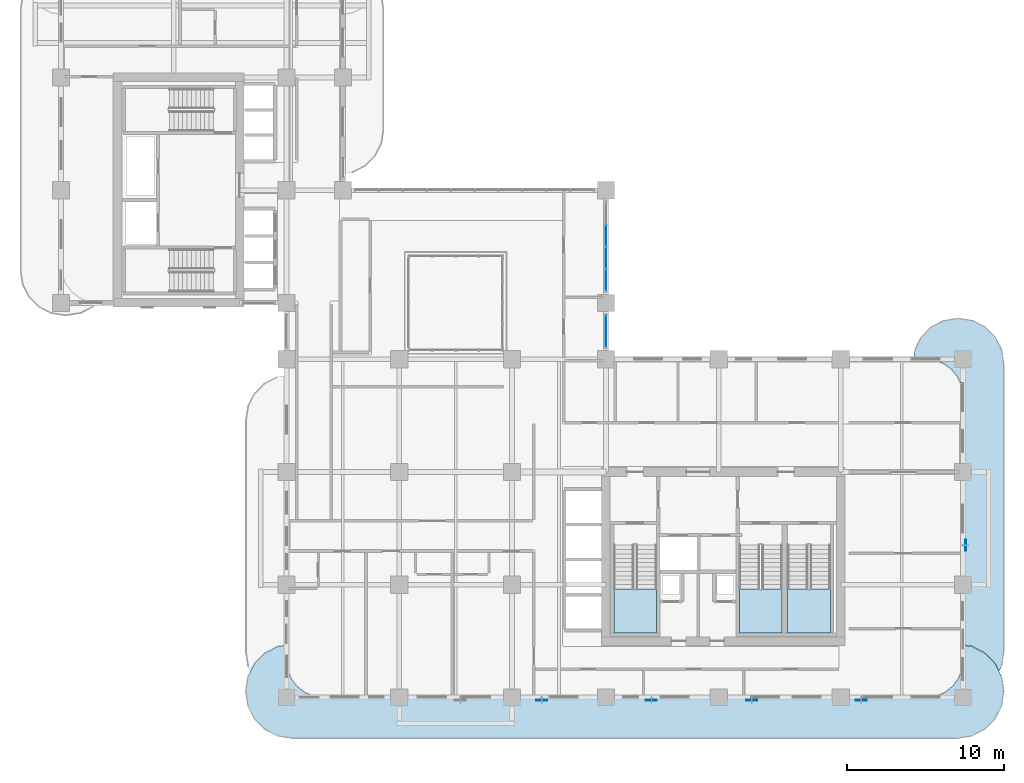
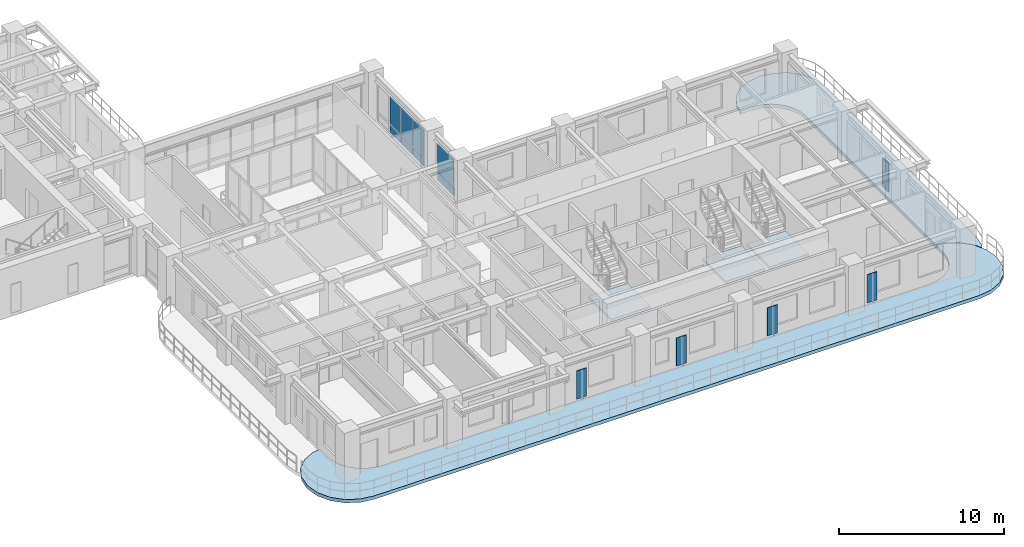
# One storey, part 10 of 22: 13 plates, 5 slabs, 5 elements without a shape of their own.
"""IFC4 building model written with IfcOpenShell, lengths in metres."""

from ifc_helpers import new_model, si_unit, derived_unit, direction, frame, origin, origin_2d, place, context, subcontext, project, spatial, polyline, rectangle, outline, extrude, source, transform, mapped, material, layer, layer_set, type_object, type_shapes, element, aggregate, save


model = new_model("IFC4")

# Units and contexts
model_context = context("Model", 3, precision=1e-05, world=origin(), true_north=direction((0.0, 1.0)))
body_context = subcontext(model_context, "Body", "Model", "MODEL_VIEW")
ifc_project = project(units=[si_unit("LENGTHUNIT", "METRE"), si_unit("AREAUNIT", "SQUARE_METRE"), si_unit("VOLUMEUNIT", "CUBIC_METRE"), si_unit("PLANEANGLEUNIT", "RADIAN"), si_unit("MASSUNIT", "GRAM", prefix="KILO"), si_unit("THERMODYNAMICTEMPERATUREUNIT", "KELVIN"), si_unit("POWERUNIT", "WATT"), derived_unit("THERMALTRANSMITTANCEUNIT", [(si_unit("POWERUNIT", "WATT"), 1), (si_unit("AREAUNIT", "SQUARE_METRE"), -1), (si_unit("THERMODYNAMICTEMPERATUREUNIT", "KELVIN"), -1)])], contexts=[model_context])

# Site, building, storey
site_placement = place(None, origin())
site = spatial("IfcSite", under=ifc_project, at=site_placement, CompositionType="ELEMENT")
building_placement = place(site_placement, origin())
building = spatial("IfcBuilding", under=site, at=building_placement, Name="Zahravan Archway Hotel and Residences", CompositionType="ELEMENT")
storey_placement = place(building_placement, frame((0.0, 0.0, 76.800048828125)))
storey = spatial("IfcBuildingStorey", under=building, at=storey_placement, Name="L18", CompositionType="ELEMENT", Elevation=76.800048828125)

# Slabs
ifc_material_1 = material(Name="Concrete C45/55", Category="concrete")
ifc_layer_1 = layer(ifc_material_1, 0.25, Name="Concrete C45/55", Category="concrete")
ifc_layer_set_1 = layer_set([ifc_layer_1], Name="Concrete C45/55")
slab_type_1 = type_object("IfcSlabType", Name="SLB-BALC-250", PredefinedType="FLOOR", material=ifc_layer_set_1)
slab_1_placement = place(storey_placement, frame((0.0, 0.0, -0.25)))
element("IfcSlab", 1, at=slab_1_placement, inside=storey, type_object=slab_type_1, Name="L18 Wing A South Rounded Balcony Band", PredefinedType="FLOOR", context=body_context, shape_type="SweptSolid", body=[
    extrude(outline(polyline([(58.16162109375, 3.255615234375), (58.98388671875, 2.836669921875), (59.63671875, 2.18408203125), (60.0556640625, 1.361572265625), (60.199951171875, 0.449951171875), (60.199951171875, 0.35009765625), (60.0556640625, -0.5615234375), (59.63671875, -1.384033203125), (58.98388671875, -2.03662109375), (58.16162109375, -2.45556640625), (57.25, -2.60009765625), (14.75, -2.60009765625), (13.83837890625, -2.45556640625), (13.01611328125, -2.03662109375), (12.36328125, -1.384033203125), (11.9443359375, -0.5615234375), (11.800048828125, 0.35009765625), (11.800048828125, 0.449951171875), (11.9443359375, 1.361572265625), (12.36328125, 2.18408203125), (13.01611328125, 2.836669921875), (13.83837890625, 3.255615234375), (14.3798828125, 3.34130859375), (14.3798828125, 2.39990234375), (14.380126953125, 2.3974609375), (14.4619140625, 1.776123046875), (14.46240234375, 1.7744140625), (14.462646484375, 1.772705078125), (14.46337890625, 1.77099609375), (14.702880859375, 1.1923828125), (14.703857421875, 1.19091796875), (14.70458984375, 1.189208984375), (14.70556640625, 1.187744140625), (15.0869140625, 0.690673828125), (15.088134765625, 0.689453125), (15.08935546875, 0.688232421875), (15.0908203125, 0.68701171875), (15.587890625, 0.3056640625), (15.58935546875, 0.3046875), (15.5908203125, 0.3037109375), (15.59228515625, 0.302978515625), (16.171142578125, 0.063232421875), (16.1728515625, 0.062744140625), (16.174560546875, 0.062255859375), (16.17626953125, 0.06201171875), (16.79736328125, -0.019775390625), (16.800048828125, -0.02001953125), (55.199951171875, -0.02001953125), (55.20263671875, -0.019775390625), (55.82373046875, 0.06201171875), (55.825439453125, 0.062255859375), (55.8271484375, 0.062744140625), (55.828857421875, 0.063232421875), (56.40771484375, 0.302978515625), (56.4091796875, 0.3037109375), (56.41064453125, 0.3046875), (56.412109375, 0.3056640625), (56.9091796875, 0.68701171875), (56.91064453125, 0.688232421875), (56.911865234375, 0.689453125), (56.9130859375, 0.690673828125), (57.29443359375, 1.187744140625), (57.29541015625, 1.189208984375), (57.296142578125, 1.19091796875), (57.297119140625, 1.1923828125), (57.53662109375, 1.77099609375), (57.537353515625, 1.772705078125), (57.53759765625, 1.7744140625), (57.5380859375, 1.776123046875), (57.619873046875, 2.3974609375), (57.6201171875, 2.39990234375), (57.6201171875, 3.34130859375), (58.16162109375, 3.255615234375)])), origin(), (0.0, 0.0, 1.0), 0.25),
])
slab_2_placement = place(storey_placement, frame((0.0, 0.0, -0.25)))
element("IfcSlab", 2, at=slab_2_placement, inside=storey, type_object=slab_type_1, Name="L18 Wing A East Rounded Balcony Band", PredefinedType="FLOOR", context=body_context, shape_type="SweptSolid", body=[
    extrude(outline(polyline([(54.53955078125, 22.230712890625), (54.9443359375, 23.025146484375), (55.57470703125, 23.65576171875), (56.369384765625, 24.060546875), (57.25, 24.199951171875), (57.35009765625, 24.199951171875), (58.230712890625, 24.060546875), (59.025146484375, 23.65576171875), (59.65576171875, 23.025146484375), (60.060546875, 22.230712890625), (60.199951171875, 21.35009765625), (60.199951171875, 2.85009765625), (60.060546875, 1.96923828125), (59.91455078125, 1.6826171875), (59.654296875, 2.193115234375), (59.6533203125, 2.19482421875), (59.652099609375, 2.196533203125), (59.650634765625, 2.197998046875), (58.998046875, 2.8505859375), (58.99658203125, 2.85205078125), (58.994873046875, 2.853515625), (58.9931640625, 2.8544921875), (58.170654296875, 3.2734375), (58.168701171875, 3.2744140625), (58.166748046875, 3.27490234375), (58.164794921875, 3.275390625), (57.623046875, 3.361083984375), (57.62109375, 3.361328125), (57.6201171875, 3.361328125), (57.6201171875, 19.199951171875), (57.619873046875, 19.20263671875), (57.5380859375, 19.82373046875), (57.53759765625, 19.825439453125), (57.537353515625, 19.8271484375), (57.53662109375, 19.828857421875), (57.297119140625, 20.40771484375), (57.296142578125, 20.4091796875), (57.29541015625, 20.41064453125), (57.29443359375, 20.412109375), (56.9130859375, 20.9091796875), (56.911865234375, 20.91064453125), (56.91064453125, 20.911865234375), (56.9091796875, 20.9130859375), (56.412109375, 21.29443359375), (56.41064453125, 21.29541015625), (56.4091796875, 21.296142578125), (56.40771484375, 21.297119140625), (55.828857421875, 21.53662109375), (55.8271484375, 21.537353515625), (55.825439453125, 21.53759765625), (55.82373046875, 21.5380859375), (55.20263671875, 21.619873046875), (55.199951171875, 21.6201171875), (54.44287109375, 21.6201171875), (54.53955078125, 22.230712890625)])), origin(), (0.0, 0.0, 1.0), 0.25),
])

# Stair, slab
ifc_material_2 = material(Name="Concrete C50/60", Category="concrete")
stair_type = type_object("IfcStairType", Name="STR-CORE-1300", PredefinedType="HALF_TURN_STAIR", material=ifc_material_2)
stair_1_placement = place(storey_placement, origin())
stair_1 = element("IfcStair", 3, at=stair_1_placement, inside=storey, type_object=stair_type, Name="L18 Core A Exit Stair 1", PredefinedType="HALF_TURN_STAIR")
ifc_layer_2 = layer(ifc_material_2, 0.199951171875, Name="Concrete C50/60", Category="concrete")
ifc_layer_set_2 = layer_set([ifc_layer_2], Name="Concrete C50/60")
slab_type_2 = type_object("IfcSlabType", Name="SLB-LND-200", PredefinedType="LANDING", material=ifc_layer_set_2)
slab_3_placement = place(storey_placement, frame((0.0, 0.0, 1.64990234375)))
slab_3 = element("IfcSlab", 4, at=slab_3_placement, type_object=slab_type_2, Name="ST-A1 landing 1", PredefinedType="LANDING", context=body_context, shape_type="SweptSolid", body=[
    extrude(outline(polyline([(35.300048828125, 6.929931640625), (35.300048828125, 4.10009765625), (38.0400390625, 4.10009765625), (38.0400390625, 6.929931640625), (35.300048828125, 6.929931640625)])), origin(), (0.0, 0.0, 1.0), 0.199951171875),
])
aggregate(stair_1, [slab_3])

stair_2_placement = place(storey_placement, origin())
stair_2 = element("IfcStair", 5, at=stair_2_placement, inside=storey, type_object=stair_type, Name="L18 Core A Exit Stair 2", PredefinedType="HALF_TURN_STAIR")
slab_4_placement = place(storey_placement, frame((0.0, 0.0, 1.64990234375)))
slab_4 = element("IfcSlab", 6, at=slab_4_placement, type_object=slab_type_2, Name="ST-A2 landing 1", PredefinedType="LANDING", context=body_context, shape_type="SweptSolid", body=[
    extrude(outline(polyline([(43.320068359375, 6.929931640625), (43.320068359375, 4.10009765625), (46.06005859375, 4.10009765625), (46.06005859375, 6.929931640625), (43.320068359375, 6.929931640625)])), origin(), (0.0, 0.0, 1.0), 0.199951171875),
])
aggregate(stair_2, [slab_4])

stair_3_placement = place(storey_placement, origin())
stair_3 = element("IfcStair", 7, at=stair_3_placement, inside=storey, type_object=stair_type, Name="L18 Core A Exit Stair 3", PredefinedType="HALF_TURN_STAIR")
slab_5_placement = place(storey_placement, frame((0.0, 0.0, 1.64990234375)))
slab_5 = element("IfcSlab", 8, at=slab_5_placement, type_object=slab_type_2, Name="ST-A3 landing 1", PredefinedType="LANDING", context=body_context, shape_type="SweptSolid", body=[
    extrude(outline(polyline([(46.39990234375, 6.929931640625), (46.39990234375, 4.10009765625), (49.139892578125, 4.10009765625), (49.139892578125, 6.929931640625), (46.39990234375, 6.929931640625)])), origin(), (0.0, 0.0, 1.0), 0.199951171875),
])
aggregate(stair_3, [slab_5])

# Plates
ifc_material_3 = material(Name="Perforated Cast Bronze Jali Lattice")
ifc_layer_3 = layer(ifc_material_3, 0.044921875, Name="Perforated Cast Bronze Jali Lattice")
ifc_layer_set_3 = layer_set([ifc_layer_3], Name="Perforated Cast Bronze Jali Lattice")
plate_type_1 = type_object("IfcPlateType", Name="PLT-JALI-BAY", PredefinedType="USERDEFINED", material=ifc_layer_set_3)
shared_shape_1 = source(origin(), body_context, "Body", "SweptSolid", [
    extrude(rectangle(XDim=0.699951171875, YDim=0.044921875, at=origin_2d()), origin(), (0.0, 0.0, 1.0), 2.10009765625),
])
type_shapes(plate_type_1, [shared_shape_1])
for number, where, z_axis, x_axis, name in (
    (9, (30.7080078125, -0.177978515625, 0.25), (0.0, 0.0, 1.0), (1.0, 0.0, 0.0), "L18 Perforated Bronze Jali Pier Screen 02"),
    (10, (37.7080078125, -0.177978515625, 0.25), (0.0, 0.0, 1.0), (1.0, 0.0, 0.0), "L18 Perforated Bronze Jali Pier Screen 03"),
    (11, (44.10791015625, -0.177978515625, 0.25), (0.0, 0.0, 1.0), (1.0, 0.0, 0.0), "L18 Perforated Bronze Jali Pier Screen 04"),
    (12, (51.10009765625, -0.177978515625, 0.25), (0.0, 0.0, 1.0), (1.0, 0.0, 0.0), "L18 Perforated Bronze Jali Pier Screen 05"),
    (13, (57.778076171875, 9.7080078125, 0.25), (0.0, 0.0, 1.0), (0.0, 1.0, 0.0), "L18 Perforated Bronze Jali Pier Screen 06"),
):
    element("IfcPlate", number, at=place(storey_placement, frame(where, z_axis=z_axis, x_axis=x_axis)), inside=storey, type_object=plate_type_1, Name=name, ObjectType="SCREEN", PredefinedType="USERDEFINED", context=body_context, shape_type="MappedRepresentation", body=[
        mapped(shared_shape_1, transform((0.0, 0.0, 0.0), scale=1.0)),
    ])

# Curtain wall, plates
ifc_material_4 = material(Name="Bronze-Anodized Unitised Aluminium & Low-E Glass", Category="aluminium")
ifc_layer_4 = layer(ifc_material_4, 0.179931640625, Name="Bronze-Anodized Unitised Aluminium & Low-E Glass", Category="aluminium")
ifc_layer_set_4 = layer_set([ifc_layer_4], Name="Bronze-Anodized Unitised Aluminium & Low-E Glass")
curtain_wall_type = type_object("IfcCurtainWallType", Name="CW-ATR-GLAZ", PredefinedType="NOTDEFINED", material=ifc_layer_set_4)
curtain_wall_1_placement = place(storey_placement, origin())
curtain_wall_1 = element("IfcCurtainWall", 14, at=curtain_wall_1_placement, inside=storey, type_object=curtain_wall_type, Name="L18 Curtain Wall CW-L18-HNG-E-2", PredefinedType="NOTDEFINED")
ifc_material_5 = material(Name="Insulated Terracotta Spandrel Panel", Category="masonry")
ifc_layer_5 = layer(ifc_material_5, 0.0400390625, Name="Insulated Terracotta Spandrel Panel", Category="masonry")
ifc_layer_set_5 = layer_set([ifc_layer_5], Name="Insulated Terracotta Spandrel Panel")
plate_type_2 = type_object("IfcPlateType", Name="CWP-SPN-40", PredefinedType="SHEET", material=ifc_layer_set_5)
shared_shape_2 = source(origin(), body_context, "Body", "SweptSolid", [
    extrude(rectangle(XDim=1.340087890625, YDim=0.0400390625, at=origin_2d()), origin(), (0.0, 0.0, 1.0), 0.552490234375),
])
plate_1_placement = place(storey_placement, frame((34.800048828125, 26.669921875, 0.10009765625), z_axis=(0.0, 0.0, 1.0), x_axis=(0.0, 1.0, 0.0)))
plate_1 = element("IfcPlate", 15, at=plate_1_placement, type_object=plate_type_2, Name="CW-L18-HNG-E-2 Spandrel Panel 0", PredefinedType="SHEET", context=body_context, shape_type="MappedRepresentation", body=[
    mapped(shared_shape_2, transform((0.0, 0.0, 0.0), scale=1.0)),
])
plate_2_placement = place(storey_placement, frame((34.800048828125, 28.090087890625, 0.10009765625), z_axis=(0.0, 0.0, 1.0), x_axis=(0.0, 1.0, 0.0)))
plate_2 = element("IfcPlate", 16, at=plate_2_placement, type_object=plate_type_2, Name="CW-L18-HNG-E-2 Spandrel Panel 1", PredefinedType="SHEET", context=body_context, shape_type="MappedRepresentation", body=[
    mapped(shared_shape_2, transform((0.0, 0.0, 0.0), scale=1.0)),
])
plate_3_placement = place(storey_placement, frame((34.800048828125, 29.510009765625, 0.10009765625), z_axis=(0.0, 0.0, 1.0), x_axis=(0.0, 1.0, 0.0)))
plate_3 = element("IfcPlate", 17, at=plate_3_placement, type_object=plate_type_2, Name="CW-L18-HNG-E-2 Spandrel Panel 2", PredefinedType="SHEET", context=body_context, shape_type="MappedRepresentation", body=[
    mapped(shared_shape_2, transform((0.0, 0.0, 0.0), scale=1.0)),
])
ifc_material_6 = material(Name="Double-Silver Low-E Insulated Vision Glass", Category="glass")
ifc_layer_6 = layer(ifc_material_6, 0.028076171875, Name="Double-Silver Low-E Insulated Vision Glass", Category="glass")
ifc_layer_set_6 = layer_set([ifc_layer_6], Name="Double-Silver Low-E Insulated Vision Glass")
plate_type_3 = type_object("IfcPlateType", Name="CWP-GLZ-28", PredefinedType="CURTAIN_PANEL", material=ifc_layer_set_6)
shared_shape_3 = source(origin(), body_context, "Body", "SweptSolid", [
    extrude(rectangle(XDim=1.340087890625, YDim=0.028076171875, at=origin_2d()), origin(), (0.0, 0.0, 1.0), 2.052490234375),
])
plate_4_placement = place(storey_placement, frame((34.800048828125, 26.669921875, 0.732421875), z_axis=(0.0, 0.0, 1.0), x_axis=(0.0, 1.0, 0.0)))
plate_4 = element("IfcPlate", 18, at=plate_4_placement, type_object=plate_type_3, Name="CW-L18-HNG-E-2 Low-E Vision Panel 0", PredefinedType="CURTAIN_PANEL", context=body_context, shape_type="MappedRepresentation", body=[
    mapped(shared_shape_3, transform((0.0, 0.0, 0.0), scale=1.0)),
])
plate_5_placement = place(storey_placement, frame((34.800048828125, 28.090087890625, 0.732421875), z_axis=(0.0, 0.0, 1.0), x_axis=(0.0, 1.0, 0.0)))
plate_5 = element("IfcPlate", 19, at=plate_5_placement, type_object=plate_type_3, Name="CW-L18-HNG-E-2 Low-E Vision Panel 1", PredefinedType="CURTAIN_PANEL", context=body_context, shape_type="MappedRepresentation", body=[
    mapped(shared_shape_3, transform((0.0, 0.0, 0.0), scale=1.0)),
])
plate_6_placement = place(storey_placement, frame((34.800048828125, 29.510009765625, 0.732421875), z_axis=(0.0, 0.0, 1.0), x_axis=(0.0, 1.0, 0.0)))
plate_6 = element("IfcPlate", 20, at=plate_6_placement, type_object=plate_type_3, Name="CW-L18-HNG-E-2 Low-E Vision Panel 2", PredefinedType="CURTAIN_PANEL", context=body_context, shape_type="MappedRepresentation", body=[
    mapped(shared_shape_3, transform((0.0, 0.0, 0.0), scale=1.0)),
])
aggregate(curtain_wall_1, [plate_1, plate_4, plate_2, plate_5, plate_3, plate_6])

curtain_wall_2_placement = place(storey_placement, origin())
curtain_wall_2 = element("IfcCurtainWall", 21, at=curtain_wall_2_placement, inside=storey, type_object=curtain_wall_type, Name="L18 Curtain Wall CW-L18-HNG-E-1", PredefinedType="NOTDEFINED")
shared_shape_4 = source(origin(), body_context, "Body", "SweptSolid", [
    extrude(rectangle(XDim=2.0, YDim=0.0400390625, at=origin_2d()), origin(), (0.0, 0.0, 1.0), 0.552490234375),
])
plate_7_placement = place(storey_placement, frame((34.800048828125, 23.39990234375, 0.10009765625), z_axis=(0.0, 0.0, 1.0), x_axis=(0.0, 1.0, 0.0)))
plate_7 = element("IfcPlate", 22, at=plate_7_placement, type_object=plate_type_2, Name="CW-L18-HNG-E-1 Spandrel Panel 0", PredefinedType="SHEET", context=body_context, shape_type="MappedRepresentation", body=[
    mapped(shared_shape_4, transform((0.0, 0.0, 0.0), scale=1.0)),
])
shared_shape_5 = source(origin(), body_context, "Body", "SweptSolid", [
    extrude(rectangle(XDim=2.0, YDim=0.028076171875, at=origin_2d()), origin(), (0.0, 0.0, 1.0), 2.052490234375),
])
plate_8_placement = place(storey_placement, frame((34.800048828125, 23.39990234375, 0.732421875), z_axis=(0.0, 0.0, 1.0), x_axis=(0.0, 1.0, 0.0)))
plate_8 = element("IfcPlate", 23, at=plate_8_placement, type_object=plate_type_3, Name="CW-L18-HNG-E-1 Low-E Vision Panel 0", PredefinedType="CURTAIN_PANEL", context=body_context, shape_type="MappedRepresentation", body=[
    mapped(shared_shape_5, transform((0.0, 0.0, 0.0), scale=1.0)),
])
aggregate(curtain_wall_2, [plate_7, plate_8])

save(model, "model.ifc")
